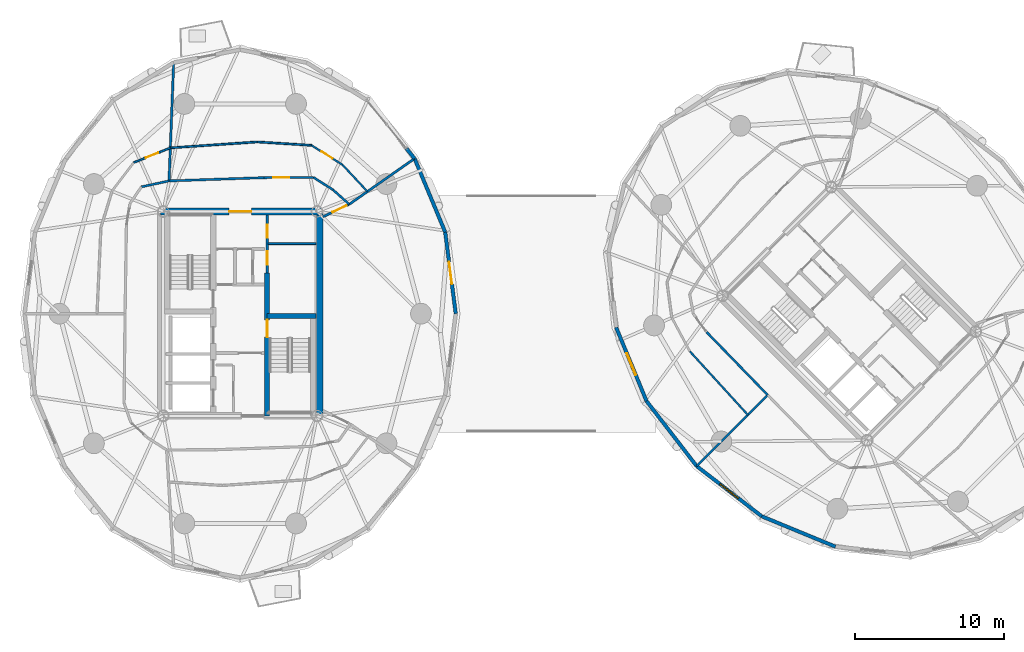
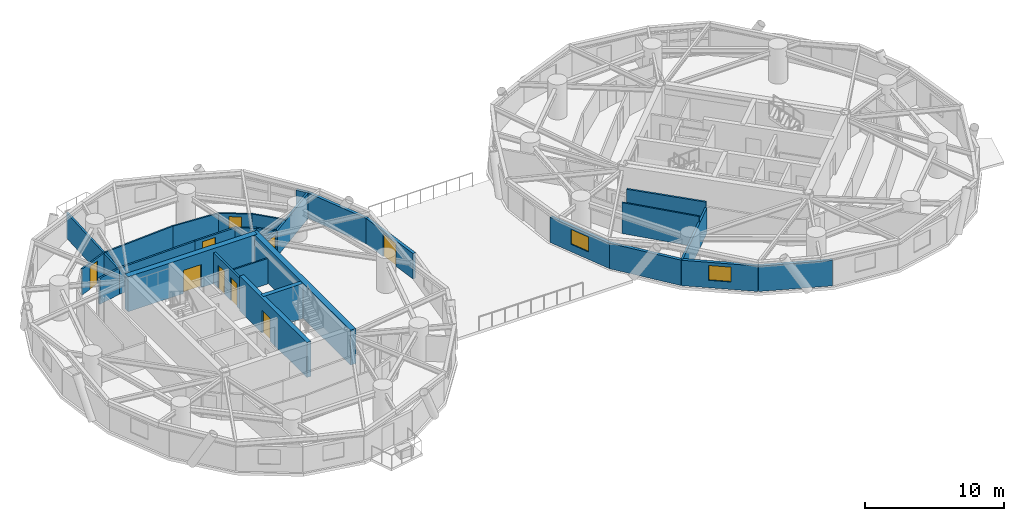
# One storey, part 11 of 19: 29 walls, 9 doors, 2 windows, 11 openings.
"""IFC4 building model written with IfcOpenShell, lengths in metres."""

from ifc_helpers import new_model, si_unit, direction, frame, frame_2d, origin, place, context, subcontext, project, spatial, rectangle, extrude, source, transform, mapped, material, layer, layer_set, type_object, element, fill, save


model = new_model("IFC4")

# Units and contexts
model_context = context("Model", 3, precision=1e-05, world=origin(), true_north=direction((0.0, 1.0)))
body_context = subcontext(model_context, "Body", "Model", "MODEL_VIEW")
ifc_project = project(units=[si_unit("LENGTHUNIT", "METRE"), si_unit("AREAUNIT", "SQUARE_METRE"), si_unit("VOLUMEUNIT", "CUBIC_METRE"), si_unit("PLANEANGLEUNIT", "RADIAN"), si_unit("MASSUNIT", "GRAM", prefix="KILO")], contexts=[model_context])

# Site, building, storey
site_placement = place(None, origin())
site = spatial("IfcSite", under=ifc_project, at=site_placement, CompositionType="ELEMENT")
building_placement = place(site_placement, origin())
building = spatial("IfcBuilding", under=site, at=building_placement, Name="Cununo Teusaquillo Station Towers", CompositionType="ELEMENT")
storey_placement = place(building_placement, frame((0.0, 0.0, 144.0400390625)))
storey = spatial("IfcBuildingStorey", under=building, at=storey_placement, Name="L45", CompositionType="ELEMENT", Elevation=144.0400390625)

# Wall, opening, door
ifc_material_1 = material(Name="Concrete C50/60", Category="concrete")
ifc_layer_1 = layer(ifc_material_1, 0.35009765625)
ifc_layer_set_1 = layer_set([ifc_layer_1], Name="Concrete C50/60")
wall_type_1 = type_object("IfcWallType", Name="WL-CORE-350", PredefinedType="SHEAR", material=ifc_layer_set_1)
wall_1_placement = place(storey_placement, frame((18.31494140625, 17.625, 0.0), z_axis=(0.0, 0.0, 1.0), x_axis=(0.0, 1.0, 0.0)))
wall_1 = element("IfcWall", 1, at=wall_1_placement, inside=storey, type_object=wall_type_1, Name="L45 Tower A Core Shear Wall IE", PredefinedType="SHEAR", context=body_context, shape_type="SweptSolid", body=[
    extrude(rectangle(XDim=9.625, YDim=0.35009765625, at=frame_2d((4.8125, 0.0))), origin(), (0.0, 0.0, 1.0), 3.06005859375),
])
shared_shape_1 = source(origin(), body_context, "Body", "SweptSolid", [
    extrude(rectangle(XDim=1.14990234375, YDim=2.02001953125, at=frame_2d((0.574951171875, 1.010009765625))), frame((0.0, 0.18505859375, 0.0), z_axis=(0.0, -1.0, 0.0), x_axis=(1.0, 0.0, 0.0)), (0.0, 0.0, 1.0), 0.3701171875),
])
opening_1_placement = place(wall_1_placement, frame((5.304931640625, 0.0, 0.0)))
opening_1 = element("IfcOpeningElement", 2, at=opening_1_placement, cuts=wall_1, Name="Opening D-ST1", PredefinedType="OPENING", context=body_context, shape_type="MappedRepresentation", body=[
    mapped(shared_shape_1, transform((0.0, 0.0, 0.0), x_axis=(1.0, 0.0, 0.0), y_axis=(0.0, 1.0, 0.0), z_axis=(0.0, 0.0, 1.0), scale=1.0)),
])
ifc_material_2 = material(Name="Galvanised fire-rated hollow steel door assembly", Category="steel")
door_type_1 = type_object("IfcDoorType", Name="DR-STAIR-1150", OperationType="NOTDEFINED", PredefinedType="DOOR", material=ifc_material_2)
shared_shape_2 = source(origin(), body_context, "Body", "SweptSolid", [
    extrude(rectangle(XDim=1.14990234375, YDim=2.02001953125, at=frame_2d((0.574951171875, 1.010009765625))), frame((0.0, 0.02490234375, 0.0), z_axis=(0.0, -1.0, 0.0), x_axis=(1.0, 0.0, 0.0)), (0.0, 0.0, 1.0), 0.050048828125),
])
door_1_placement = place(opening_1_placement, origin())
door_1 = element("IfcDoor", 3, at=door_1_placement, inside=storey, type_object=door_type_1, Name="L45 Tower A Exit Stair 2 Fire Door", OperationType="SINGLE_SWING_LEFT", OverallHeight=2.02001953125, OverallWidth=1.14990234375, PredefinedType="DOOR", context=body_context, shape_type="MappedRepresentation", body=[
    mapped(shared_shape_2, transform((0.0, 0.0, 0.0), x_axis=(1.0, 0.0, 0.0), y_axis=(0.0, 1.0, 0.0), z_axis=(0.0, 0.0, 1.0), scale=1.0)),
])
fill(opening_1, door_1)

# Walls
wall_2_placement = place(storey_placement, frame((18.31494140625, 24.344970703125, 0.0), z_axis=(0.0, 0.0, 1.0), x_axis=(1.0, 0.0, 0.0)))
element("IfcWall", 4, at=wall_2_placement, inside=storey, type_object=wall_type_1, Name="L45 Tower A Core Shear Wall ST2N", PredefinedType="SHEAR", context=body_context, shape_type="SweptSolid", body=[
    extrude(rectangle(XDim=3.28515625, YDim=0.35009765625, at=frame_2d((1.642578125, 0.0))), origin(), (0.0, 0.0, 1.0), 3.06005859375),
])
ifc_material_3 = material(Name="Concrete C60/75", Category="concrete")
ifc_layer_2 = layer(ifc_material_3, 0.449951171875)
ifc_layer_set_2 = layer_set([ifc_layer_2], Name="Concrete C60/75")
wall_type_2 = type_object("IfcWallType", Name="WL-CORE-450", PredefinedType="SHEAR", material=ifc_layer_set_2)
wall_3_placement = place(storey_placement, frame((21.85009765625, 17.39990234375, 0.0), z_axis=(0.0, 0.0, 1.0), x_axis=(0.0, 1.0, 0.0)))
element("IfcWall", 5, at=wall_3_placement, inside=storey, type_object=wall_type_2, Name="L45 Tower A Core Shear Wall E", PredefinedType="SHEAR", context=body_context, shape_type="SweptSolid", body=[
    extrude(rectangle(XDim=14.2001953125, YDim=0.449951171875, at=frame_2d((7.10009765625, 0.0))), origin(), (0.0, 0.0, 1.0), 3.06005859375),
])

# Wall, opening, door
wall_4_placement = place(storey_placement, frame((11.14990234375, 31.375, 0.0), z_axis=(0.0, 0.0, 1.0), x_axis=(1.0, 0.0, 0.0)))
wall_4 = element("IfcWall", 6, at=wall_4_placement, inside=storey, type_object=wall_type_2, Name="L45 Tower A Core Shear Wall N", PredefinedType="SHEAR", context=body_context, shape_type="SweptSolid", body=[
    extrude(rectangle(XDim=10.7001953125, YDim=0.449951171875, at=frame_2d((5.35009765625, 0.0))), origin(), (0.0, 0.0, 1.0), 3.06005859375),
])
shared_shape_3 = source(origin(), body_context, "Body", "SweptSolid", [
    extrude(rectangle(XDim=1.5, YDim=2.02001953125, at=frame_2d((0.75, 1.010009765625))), frame((0.0, 0.23486328125, 0.0), z_axis=(0.0, -1.0, 0.0), x_axis=(1.0, 0.0, 0.0)), (0.0, 0.0, 1.0), 0.469970703125),
])
opening_2_placement = place(wall_4_placement, frame((4.60009765625, 0.0, 0.0)))
opening_2 = element("IfcOpeningElement", 7, at=opening_2_placement, cuts=wall_4, Name="Opening D-LB1", PredefinedType="OPENING", context=body_context, shape_type="MappedRepresentation", body=[
    mapped(shared_shape_3, transform((0.0, 0.0, 0.0), x_axis=(1.0, 0.0, 0.0), y_axis=(0.0, 1.0, 0.0), z_axis=(0.0, 0.0, 1.0), scale=1.0)),
])
ifc_material_4 = material(Name="Galvanised fire-rated hollow steel door assembly", Category="steel")
door_type_2 = type_object("IfcDoorType", Name="DR-LOBBY-1500", OperationType="DOUBLE_DOOR_SINGLE_SWING", PredefinedType="DOOR", material=ifc_material_4)
shared_shape_4 = source(origin(), body_context, "Body", "SweptSolid", [
    extrude(rectangle(XDim=1.5, YDim=2.02001953125, at=frame_2d((0.75, 1.010009765625))), frame((0.0, 0.02490234375, 0.0), z_axis=(0.0, -1.0, 0.0), x_axis=(1.0, 0.0, 0.0)), (0.0, 0.0, 1.0), 0.050048828125),
])
door_2_placement = place(opening_2_placement, origin())
door_2 = element("IfcDoor", 8, at=door_2_placement, inside=storey, type_object=door_type_2, Name="L45 Tower A North Core Lift Lobby Door", OperationType="DOUBLE_DOOR_SINGLE_SWING", OverallHeight=2.02001953125, OverallWidth=1.5, PredefinedType="DOOR", context=body_context, shape_type="MappedRepresentation", body=[
    mapped(shared_shape_4, transform((0.0, 0.0, 0.0), x_axis=(1.0, 0.0, 0.0), y_axis=(0.0, 1.0, 0.0), z_axis=(0.0, 0.0, 1.0), scale=1.0)),
])
fill(opening_2, door_2)

ifc_material_5 = material(Name="Precast concrete C40/50", Category="concrete")
ifc_layer_3 = layer(ifc_material_5, 0.239990234375)
ifc_layer_set_3 = layer_set([ifc_layer_3], Name="Precast concrete C40/50")
wall_type_3 = type_object("IfcWallType", Name="WL-EXT-240", PredefinedType="SOLIDWALL", material=ifc_layer_set_3)
wall_5_placement = place(storey_placement, frame((30.3046875, 29.9912109375, 0.0), z_axis=(0.0, 0.0, 1.0), x_axis=(0.128266533912, -0.991739732126, 0.0)))
wall_5 = element("IfcWall", 9, at=wall_5_placement, inside=storey, type_object=wall_type_3, Name="L45 Tower A Exterior Facade Wall C00", PredefinedType="SOLIDWALL", context=body_context, shape_type="SweptSolid", body=[
    extrude(rectangle(XDim=5.536865234375, YDim=0.239990234375, at=frame_2d((2.7685546875, 0.0))), origin(), (0.0, 0.0, 1.0), 2.22900390625),
])
shared_shape_5 = source(origin(), body_context, "Body", "SweptSolid", [
    extrude(rectangle(XDim=1.5, YDim=2.014892578125, at=frame_2d((0.75, 1.00732421875))), frame((0.0, 0.1298828125, 0.0), z_axis=(0.0, -1.0, 0.0), x_axis=(1.0, 0.0, 0.0)), (0.0, 0.0, 1.0), 0.260009765625),
])
opening_3_placement = place(wall_5_placement, frame((2.01806640625, 0.0, 0.0)))
opening_3 = element("IfcOpeningElement", 10, at=opening_3_placement, cuts=wall_5, Name="Opening ED-04", PredefinedType="OPENING", context=body_context, shape_type="MappedRepresentation", body=[
    mapped(shared_shape_5, transform((0.0, 0.0, 0.0), x_axis=(1.0, 0.0, 0.0), y_axis=(0.0, 1.0, 0.0), z_axis=(0.0, 0.0, 1.0), scale=1.0)),
])
ifc_material_6 = material(Name="Anodised dark bronze aluminium EN AW-6063-T6", Category="aluminium")
door_type_3 = type_object("IfcDoorType", Name="DR-EXT-TERR", OperationType="DOUBLE_DOOR_SINGLE_SWING", PredefinedType="DOOR", material=ifc_material_6)
shared_shape_6 = source(origin(), body_context, "Body", "SweptSolid", [
    extrude(rectangle(XDim=1.5, YDim=2.014892578125, at=frame_2d((0.75, 1.00732421875))), frame((0.0, 0.02490234375, 0.0), z_axis=(0.0, -1.0, 0.0), x_axis=(1.0, 0.0, 0.0)), (0.0, 0.0, 1.0), 0.050048828125),
])
door_3_placement = place(opening_3_placement, origin())
door_3 = element("IfcDoor", 11, at=door_3_placement, inside=storey, type_object=door_type_3, Name="L45 Mid-Bridge Roof Terrace Access Door T1", OperationType="DOUBLE_DOOR_SINGLE_SWING", OverallHeight=2.014892578125, OverallWidth=1.5, PredefinedType="DOOR", context=body_context, shape_type="MappedRepresentation", body=[
    mapped(shared_shape_6, transform((0.0, 0.0, 0.0), x_axis=(1.0, 0.0, 0.0), y_axis=(0.0, 1.0, 0.0), z_axis=(0.0, 0.0, 1.0), scale=1.0)),
])
fill(opening_3, door_3)

# Walls
wall_6_placement = place(storey_placement, frame((28.242919921875, 34.94482421875, 0.0), z_axis=(0.0, 0.0, 1.0), x_axis=(0.384259959969, -0.923224936386, 0.0)))
element("IfcWall", 12, at=wall_6_placement, inside=storey, type_object=wall_type_3, Name="L45 Tower A Exterior Facade Wall C01", PredefinedType="SOLIDWALL", context=body_context, shape_type="SweptSolid", body=[
    extrude(rectangle(XDim=5.365478515625, YDim=0.239990234375, at=frame_2d((2.6826171875, 0.0))), origin(), (0.0, 0.0, 1.0), 2.22900390625),
])
wall_7_placement = place(storey_placement, frame((27.6923828125, 35.61865234375, 0.0), z_axis=(0.0, 0.0, 1.0), x_axis=(0.632702874536, -0.774394649099, 0.0)))
element("IfcWall", 13, at=wall_7_placement, inside=storey, type_object=wall_type_3, Name="L45 Tower A Column Pier Cladding Wall C02-PB", PredefinedType="SOLIDWALL", context=body_context, shape_type="SweptSolid", body=[
    extrude(rectangle(XDim=0.8701171875, YDim=0.239990234375, at=frame_2d((0.43505859375, 0.0))), origin(), (0.0, 0.0, 1.0), 2.22900390625),
])

# Wall, opening, window
wall_8_placement = place(storey_placement, frame((43.855712890625, 18.62158203125, 0.0), z_axis=(0.0, 0.0, 1.0), x_axis=(-0.38111364655, 0.924528197738, 0.0)))
wall_8 = element("IfcWall", 14, at=wall_8_placement, inside=storey, type_object=wall_type_3, Name="L45 Tower B Exterior Facade Wall C08", PredefinedType="SOLIDWALL", context=body_context, shape_type="SweptSolid", body=[
    extrude(rectangle(XDim=5.36572265625, YDim=0.239990234375, at=frame_2d((2.682861328125, 0.0))), origin(), (0.0, 0.0, 1.0), 2.22900390625),
])
shared_shape_7 = source(origin(), body_context, "Body", "SweptSolid", [
    extrude(rectangle(XDim=1.60009765625, YDim=1.300048828125, at=frame_2d((0.800048828125, 0.64990234375))), frame((0.0, 0.1298828125, 0.0), z_axis=(0.0, -1.0, 0.0), x_axis=(1.0, 0.0, 0.0)), (0.0, 0.0, 1.0), 0.260009765625),
])
opening_4_placement = place(wall_8_placement, frame((1.883056640625, 0.0, 0.64990234375)))
opening_4 = element("IfcOpeningElement", 15, at=opening_4_placement, cuts=wall_8, Name="Opening WN-03", PredefinedType="OPENING", context=body_context, shape_type="MappedRepresentation", body=[
    mapped(shared_shape_7, transform((0.0, 0.0, 0.0), x_axis=(1.0, 0.0, 0.0), y_axis=(0.0, 1.0, 0.0), z_axis=(0.0, 0.0, 1.0), scale=1.0)),
])
ifc_material_7 = material(Name="Ceramic-fritted dark low-E double glazing", Category="glass")
window_type = type_object("IfcWindowType", Name="WIN-CORN-1600", PartitioningType="SINGLE_PANEL", PredefinedType="WINDOW", material=ifc_material_7)
shared_shape_8 = source(origin(), body_context, "Body", "SweptSolid", [
    extrude(rectangle(XDim=1.60009765625, YDim=1.300048828125, at=frame_2d((0.800048828125, 0.64990234375))), frame((0.0, 0.030029296875, 0.0), z_axis=(0.0, -1.0, 0.0), x_axis=(1.0, 0.0, 0.0)), (0.0, 0.0, 1.0), 0.06005859375),
])
window_1_placement = place(opening_4_placement, origin())
window_1 = element("IfcWindow", 16, at=window_1_placement, inside=storey, type_object=window_type, Name="L45 Tower B Facade Window C08", OverallHeight=1.300048828125, OverallWidth=1.60009765625, PartitioningType="SINGLE_PANEL", PredefinedType="WINDOW", context=body_context, shape_type="MappedRepresentation", body=[
    mapped(shared_shape_8, transform((0.0, 0.0, 0.0), x_axis=(1.0, 0.0, 0.0), y_axis=(0.0, 1.0, 0.0), z_axis=(0.0, 0.0, 1.0), scale=1.0)),
])
fill(opening_4, window_1)

# Wall
wall_9_placement = place(storey_placement, frame((47.236328125, 14.236328125, 0.0), z_axis=(0.0, 0.0, 1.0), x_axis=(-0.610543584779, 0.791982658323, 0.0)))
element("IfcWall", 17, at=wall_9_placement, inside=storey, type_object=wall_type_3, Name="L45 Tower B Exterior Facade Wall C09", PredefinedType="SOLIDWALL", context=body_context, shape_type="SweptSolid", body=[
    extrude(rectangle(XDim=5.537109375, YDim=0.239990234375, at=frame_2d((2.7685546875, 0.0))), origin(), (0.0, 0.0, 1.0), 2.22900390625),
])

# Wall, opening, window
wall_10_placement = place(storey_placement, frame((51.62158203125, 10.855712890625, 0.0), z_axis=(0.0, 0.0, 1.0), x_axis=(-0.791982658323, 0.610543584779, 0.0)))
wall_10 = element("IfcWall", 18, at=wall_10_placement, inside=storey, type_object=wall_type_3, Name="L45 Tower B Exterior Facade Wall C10", PredefinedType="SOLIDWALL", context=body_context, shape_type="SweptSolid", body=[
    extrude(rectangle(XDim=5.537109375, YDim=0.239990234375, at=frame_2d((2.7685546875, 0.0))), origin(), (0.0, 0.0, 1.0), 2.22900390625),
])
opening_5_placement = place(wall_10_placement, frame((1.968017578125, 0.0, 0.64990234375)))
opening_5 = element("IfcOpeningElement", 19, at=opening_5_placement, cuts=wall_10, Name="Opening WN-03", PredefinedType="OPENING", context=body_context, shape_type="MappedRepresentation", body=[
    mapped(shared_shape_7, transform((0.0, 0.0, 0.0), x_axis=(1.0, 0.0, 0.0), y_axis=(0.0, 1.0, 0.0), z_axis=(0.0, 0.0, 1.0), scale=1.0)),
])
window_2_placement = place(opening_5_placement, origin())
window_2 = element("IfcWindow", 20, at=window_2_placement, inside=storey, type_object=window_type, Name="L45 Tower B Facade Window C10", OverallHeight=1.300048828125, OverallWidth=1.60009765625, PartitioningType="SINGLE_PANEL", PredefinedType="WINDOW", context=body_context, shape_type="MappedRepresentation", body=[
    mapped(shared_shape_8, transform((0.0, 0.0, 0.0), x_axis=(1.0, 0.0, 0.0), y_axis=(0.0, 1.0, 0.0), z_axis=(0.0, 0.0, 1.0), scale=1.0)),
])
fill(opening_5, window_2)

# Walls
wall_11_placement = place(storey_placement, frame((56.582275390625, 8.810791015625, 0.0), z_axis=(0.0, 0.0, 1.0), x_axis=(-0.924528197738, 0.38111364655, 0.0)))
element("IfcWall", 21, at=wall_11_placement, inside=storey, type_object=wall_type_3, Name="L45 Tower B Exterior Facade Wall C11", PredefinedType="SOLIDWALL", context=body_context, shape_type="SweptSolid", body=[
    extrude(rectangle(XDim=5.36572265625, YDim=0.239990234375, at=frame_2d((2.682861328125, 0.0))), origin(), (0.0, 0.0, 1.0), 2.22900390625),
])
ifc_material_8 = material(Name="Fire-rated gypsum plasterboard partition assembly", Category="gypsum")
ifc_layer_4 = layer(ifc_material_8, 0.125)
ifc_layer_set_4 = layer_set([ifc_layer_4], Name="Fire-rated gypsum plasterboard partition assembly")
wall_type_4 = type_object("IfcWallType", Name="WL-PART-125", PredefinedType="PARTITIONING", material=ifc_layer_set_4)
wall_12_placement = place(storey_placement, frame((18.3798828125, 29.219970703125, 0.0), z_axis=(0.0, 0.0, 1.0), x_axis=(1.0, 0.0, 0.0)))
element("IfcWall", 22, at=wall_12_placement, inside=storey, type_object=wall_type_4, Name="L45 Tower A Reclaimed Bay Divider Wall", PredefinedType="PARTITIONING", context=body_context, shape_type="SweptSolid", body=[
    extrude(rectangle(XDim=3.22021484375, YDim=0.125, at=frame_2d((1.610107421875, 0.0))), origin(), (0.0, 0.0, 1.0), 2.241943359375),
])
wall_13_placement = place(storey_placement, frame((25.068603515625, 32.724853515625, 0.0), z_axis=(0.0, 0.0, 1.0), x_axis=(-0.682321786461, 0.731051967865, 0.0)))
element("IfcWall", 23, at=wall_13_placement, inside=storey, type_object=wall_type_4, Name="L45 Tower A Belvedere Botanical Conservatory Salon Concentric Partition Wall C02", PredefinedType="PARTITIONING", context=body_context, shape_type="SweptSolid", body=[
    extrude(rectangle(XDim=2.4599609375, YDim=0.125, at=frame_2d((1.22998046875, 0.0))), origin(), (0.0, 0.0, 1.0), 2.27490234375),
])

# Wall, opening, door
wall_14_placement = place(storey_placement, frame((23.39013671875, 34.523193359375, 0.0), z_axis=(0.0, 0.0, 1.0), x_axis=(-0.846355430711, 0.53261851724, 0.0)))
wall_14 = element("IfcWall", 24, at=wall_14_placement, inside=storey, type_object=wall_type_4, Name="L45 Tower A Belvedere Botanical Conservatory Salon Concentric Partition Wall C03", PredefinedType="PARTITIONING", context=body_context, shape_type="SweptSolid", body=[
    extrude(rectangle(XDim=2.460693359375, YDim=0.125, at=frame_2d((1.23046875, 0.0))), origin(), (0.0, 0.0, 1.0), 2.27490234375),
])
shared_shape_9 = source(origin(), body_context, "Body", "SweptSolid", [
    extrude(rectangle(XDim=0.89990234375, YDim=2.0048828125, at=frame_2d((0.449951171875, 1.00244140625))), frame((0.0, 0.072509765625, 0.0), z_axis=(0.0, -1.0, 0.0), x_axis=(1.0, 0.0, 0.0)), (0.0, 0.0, 1.0), 0.14501953125),
])
opening_6_placement = place(wall_14_placement, frame((0.780517578125, 0.0, 0.0)))
opening_6 = element("IfcOpeningElement", 25, at=opening_6_placement, cuts=wall_14, Name="Opening D-IN1", PredefinedType="OPENING", context=body_context, shape_type="MappedRepresentation", body=[
    mapped(shared_shape_9, transform((0.0, 0.0, 0.0), x_axis=(1.0, 0.0, 0.0), y_axis=(0.0, 1.0, 0.0), z_axis=(0.0, 0.0, 1.0), scale=1.0)),
])
ifc_material_9 = material(Name="Acoustic solid-core hardwood leaf assembly", Category="wood")
door_type_4 = type_object("IfcDoorType", Name="DR-INT-900", OperationType="NOTDEFINED", PredefinedType="DOOR", material=ifc_material_9)
shared_shape_10 = source(origin(), body_context, "Body", "SweptSolid", [
    extrude(rectangle(XDim=0.89990234375, YDim=2.0048828125, at=frame_2d((0.449951171875, 1.00244140625))), frame((0.0, 0.02490234375, 0.0), z_axis=(0.0, -1.0, 0.0), x_axis=(1.0, 0.0, 0.0)), (0.0, 0.0, 1.0), 0.050048828125),
])
door_4_placement = place(opening_6_placement, origin())
door_4 = element("IfcDoor", 26, at=door_4_placement, inside=storey, type_object=door_type_4, Name="L45 Tower A Belvedere Botanical Conservatory Salon Connecting Door", OperationType="SINGLE_SWING_RIGHT", OverallHeight=2.0048828125, OverallWidth=0.89990234375, PredefinedType="DOOR", context=body_context, shape_type="MappedRepresentation", body=[
    mapped(shared_shape_10, transform((0.0, 0.0, 0.0), x_axis=(1.0, 0.0, 0.0), y_axis=(0.0, 1.0, 0.0), z_axis=(0.0, 0.0, 1.0), scale=1.0)),
])
fill(opening_6, door_4)

# Walls
wall_15_placement = place(storey_placement, frame((21.3076171875, 35.833740234375, 0.0), z_axis=(0.0, 0.0, 1.0), x_axis=(-0.998000499874, 0.063206030185, 0.0)))
element("IfcWall", 27, at=wall_15_placement, inside=storey, type_object=wall_type_4, Name="L45 Tower A Belvedere Botanical Conservatory Salon Concentric Partition Wall C04", PredefinedType="PARTITIONING", context=body_context, shape_type="SweptSolid", body=[
    extrude(rectangle(XDim=3.654052734375, YDim=0.125, at=frame_2d((1.8271484375, 0.0))), origin(), (0.0, 0.0, 1.0), 2.27490234375),
])
wall_16_placement = place(storey_placement, frame((17.660888671875, 36.064697265625, 0.0), z_axis=(0.0, 0.0, 1.0), x_axis=(-0.997670473363, -0.068217494681, 0.0)))
element("IfcWall", 28, at=wall_16_placement, inside=storey, type_object=wall_type_4, Name="L45 Tower A Belvedere Botanical Conservatory Salon Concentric Partition Wall C05", PredefinedType="PARTITIONING", context=body_context, shape_type="SweptSolid", body=[
    extrude(rectangle(XDim=5.87646484375, YDim=0.125, at=frame_2d((2.938232421875, 0.0))), origin(), (0.0, 0.0, 1.0), 2.27490234375),
])

# Wall, opening, door
wall_17_placement = place(storey_placement, frame((11.798095703125, 35.663818359375, 0.0), z_axis=(0.0, 0.0, 1.0), x_axis=(-0.927779230796, -0.37312960068, 0.0)))
wall_17 = element("IfcWall", 29, at=wall_17_placement, inside=storey, type_object=wall_type_4, Name="L45 Tower A Andean Hydrotherapy & Movement Hall Concentric Partition Wall C06", PredefinedType="PARTITIONING", context=body_context, shape_type="SweptSolid", body=[
    extrude(rectangle(XDim=2.66162109375, YDim=0.125, at=frame_2d((1.330810546875, 0.0))), origin(), (0.0, 0.0, 1.0), 2.27490234375),
])
opening_7_placement = place(wall_17_placement, frame((0.880859375, 0.0, 0.0)))
opening_7 = element("IfcOpeningElement", 30, at=opening_7_placement, cuts=wall_17, Name="Opening D-IN1", PredefinedType="OPENING", context=body_context, shape_type="MappedRepresentation", body=[
    mapped(shared_shape_9, transform((0.0, 0.0, 0.0), x_axis=(1.0, 0.0, 0.0), y_axis=(0.0, 1.0, 0.0), z_axis=(0.0, 0.0, 1.0), scale=1.0)),
])
door_5_placement = place(opening_7_placement, origin())
door_5 = element("IfcDoor", 31, at=door_5_placement, inside=storey, type_object=door_type_4, Name="L45 Tower A Andean Hydrotherapy & Movement Hall Connecting Door", OperationType="SINGLE_SWING_RIGHT", OverallHeight=2.0048828125, OverallWidth=0.89990234375, PredefinedType="DOOR", context=body_context, shape_type="MappedRepresentation", body=[
    mapped(shared_shape_10, transform((0.0, 0.0, 0.0), x_axis=(1.0, 0.0, 0.0), y_axis=(0.0, 1.0, 0.0), z_axis=(0.0, 0.0, 1.0), scale=1.0)),
])
fill(opening_7, door_5)

# Walls
wall_18_placement = place(storey_placement, frame((46.773681640625, 21.96728515625, 0.0), z_axis=(0.0, 0.0, 1.0), x_axis=(0.674324259609, -0.738435368129, 0.0)))
element("IfcWall", 32, at=wall_18_placement, inside=storey, type_object=wall_type_4, Name="L45 Tower B Andean Hydrotherapy & Movement Hall Concentric Partition Wall C09", PredefinedType="PARTITIONING", context=body_context, shape_type="SweptSolid", body=[
    extrude(rectangle(XDim=5.7998046875, YDim=0.125, at=frame_2d((2.89990234375, 0.0))), origin(), (0.0, 0.0, 1.0), 2.705078125),
])
ifc_material_10 = material(Name="Fire-rated gypsum plasterboard partition assembly", Category="gypsum")
ifc_layer_5 = layer(ifc_material_10, 0.14990234375)
ifc_layer_set_5 = layer_set([ifc_layer_5], Name="Fire-rated gypsum plasterboard partition assembly")
wall_type_5 = type_object("IfcWallType", Name="WL-PART-150", PredefinedType="PARTITIONING", material=ifc_layer_set_5)
wall_19_placement = place(storey_placement, frame((23.840576171875, 31.865966796875, 0.0), z_axis=(0.0, 0.0, 1.0), x_axis=(-0.74511843306, 0.666932171, 0.0)))
element("IfcWall", 33, at=wall_19_placement, inside=storey, type_object=wall_type_5, Name="L45 Tower A Corridor Ring Wall C02", PredefinedType="PARTITIONING", context=body_context, shape_type="SweptSolid", body=[
    extrude(rectangle(XDim=1.455078125, YDim=0.14990234375, at=frame_2d((0.7275390625, 0.0))), origin(), (0.0, 0.0, 1.0), 2.27490234375),
])
wall_20_placement = place(storey_placement, frame((22.75634765625, 32.83642578125, 0.0), z_axis=(0.0, 0.0, 1.0), x_axis=(-0.843828401801, 0.536613108593, 0.0)))
element("IfcWall", 34, at=wall_20_placement, inside=storey, type_object=wall_type_5, Name="L45 Tower A Corridor Ring Wall C03", PredefinedType="PARTITIONING", context=body_context, shape_type="SweptSolid", body=[
    extrude(rectangle(XDim=1.5654296875, YDim=0.14990234375, at=frame_2d((0.78271484375, 0.0))), origin(), (0.0, 0.0, 1.0), 2.27490234375),
])

# Wall, opening, door
wall_21_placement = place(storey_placement, frame((21.435302734375, 33.676513671875, 0.0), z_axis=(0.0, 0.0, 1.0), x_axis=(-0.999986775557, -0.005142831114, 0.0)))
wall_21 = element("IfcWall", 35, at=wall_21_placement, inside=storey, type_object=wall_type_5, Name="L45 Tower A Corridor Ring Wall C04", PredefinedType="PARTITIONING", context=body_context, shape_type="SweptSolid", body=[
    extrude(rectangle(XDim=3.322998046875, YDim=0.14990234375, at=frame_2d((1.66162109375, 0.0))), origin(), (0.0, 0.0, 1.0), 2.27490234375),
])
shared_shape_11 = source(origin(), body_context, "Body", "SweptSolid", [
    extrude(rectangle(XDim=1.050048828125, YDim=2.014892578125, at=frame_2d((0.52490234375, 1.00732421875))), frame((0.0, 0.0849609375, 0.0), z_axis=(0.0, -1.0, 0.0), x_axis=(1.0, 0.0, 0.0)), (0.0, 0.0, 1.0), 0.169921875),
])
opening_8_placement = place(wall_21_placement, frame((1.644775390625, 0.0, 0.0)))
opening_8 = element("IfcOpeningElement", 36, at=opening_8_placement, cuts=wall_21, Name="Opening D-SU1", PredefinedType="OPENING", context=body_context, shape_type="MappedRepresentation", body=[
    mapped(shared_shape_11, transform((0.0, 0.0, 0.0), x_axis=(1.0, 0.0, 0.0), y_axis=(0.0, 1.0, 0.0), z_axis=(0.0, 0.0, 1.0), scale=1.0)),
])
ifc_material_11 = material(Name="Acoustic solid-core hardwood leaf assembly", Category="wood")
door_type_5 = type_object("IfcDoorType", Name="DR-SUITE-1050", OperationType="NOTDEFINED", PredefinedType="DOOR", material=ifc_material_11)
shared_shape_12 = source(origin(), body_context, "Body", "SweptSolid", [
    extrude(rectangle(XDim=1.050048828125, YDim=2.014892578125, at=frame_2d((0.52490234375, 1.00732421875))), frame((0.0, 0.02490234375, 0.0), z_axis=(0.0, -1.0, 0.0), x_axis=(1.0, 0.0, 0.0)), (0.0, 0.0, 1.0), 0.050048828125),
])
door_6_placement = place(opening_8_placement, origin())
door_6 = element("IfcDoor", 37, at=door_6_placement, inside=storey, type_object=door_type_5, Name="L45 Tower A Belvedere Botanical Conservatory Salon Entrance Door", OperationType="SINGLE_SWING_LEFT", OverallHeight=2.014892578125, OverallWidth=1.050048828125, PredefinedType="DOOR", context=body_context, shape_type="MappedRepresentation", body=[
    mapped(shared_shape_12, transform((0.0, 0.0, 0.0), x_axis=(1.0, 0.0, 0.0), y_axis=(0.0, 1.0, 0.0), z_axis=(0.0, 0.0, 1.0), scale=1.0)),
])
fill(opening_8, door_6)

# Walls
wall_22_placement = place(storey_placement, frame((18.1123046875, 33.659423828125, 0.0), z_axis=(0.0, 0.0, 1.0), x_axis=(-0.999413895918, -0.034232508622, 0.0)))
element("IfcWall", 38, at=wall_22_placement, inside=storey, type_object=wall_type_5, Name="L45 Tower A Corridor Ring Wall C05", PredefinedType="PARTITIONING", context=body_context, shape_type="SweptSolid", body=[
    extrude(rectangle(XDim=6.404296875, YDim=0.14990234375, at=frame_2d((3.2021484375, 0.0))), origin(), (0.0, 0.0, 1.0), 2.27490234375),
])
wall_23_placement = place(storey_placement, frame((11.711669921875, 33.440185546875, 0.0), z_axis=(0.0, 0.0, 1.0), x_axis=(-0.977753514213, -0.209757158265, 0.0)))
element("IfcWall", 39, at=wall_23_placement, inside=storey, type_object=wall_type_5, Name="L45 Tower A Corridor Ring Wall C06", PredefinedType="PARTITIONING", context=body_context, shape_type="SweptSolid", body=[
    extrude(rectangle(XDim=1.900634765625, YDim=0.14990234375, at=frame_2d((0.9501953125, 0.0))), origin(), (0.0, 0.0, 1.0), 2.27490234375),
])
wall_24_placement = place(storey_placement, frame((47.9013671875, 23.264892578125, 0.0), z_axis=(0.0, 0.0, 1.0), x_axis=(0.696355965374, -0.717696572019, 0.0)))
element("IfcWall", 40, at=wall_24_placement, inside=storey, type_object=wall_type_5, Name="L45 Tower B Corridor Ring Wall C09", PredefinedType="PARTITIONING", context=body_context, shape_type="SweptSolid", body=[
    extrude(rectangle(XDim=5.91455078125, YDim=0.14990234375, at=frame_2d((2.957275390625, 0.0))), origin(), (0.0, 0.0, 1.0), 2.705078125),
])

# Wall, openings, doors
ifc_material_12 = material(Name="Fire-rated gypsum plasterboard partition assembly", Category="gypsum")
ifc_layer_6 = layer(ifc_material_12, 0.159912109375)
ifc_layer_set_6 = layer_set([ifc_layer_6], Name="Fire-rated gypsum plasterboard partition assembly")
wall_type_6 = type_object("IfcWallType", Name="WL-PART-160", PredefinedType="PARTITIONING", material=ifc_layer_set_6)
wall_25_placement = place(storey_placement, frame((18.31494140625, 27.25, 0.0), z_axis=(0.0, 0.0, 1.0), x_axis=(0.0, 1.0, 0.0)))
wall_25 = element("IfcWall", 41, at=wall_25_placement, inside=storey, type_object=wall_type_6, Name="L45 Tower A Reclaimed Core Bay Entry Wall", PredefinedType="PARTITIONING", context=body_context, shape_type="SweptSolid", body=[
    extrude(rectangle(XDim=3.89990234375, YDim=0.159912109375, at=frame_2d((1.949951171875, 0.0))), origin(), (0.0, 0.0, 1.0), 2.705078125),
])
shared_shape_13 = source(origin(), body_context, "Body", "SweptSolid", [
    extrude(rectangle(XDim=0.89990234375, YDim=2.0048828125, at=frame_2d((0.449951171875, 1.00244140625))), frame((0.0, 0.08984375, 0.0), z_axis=(0.0, -1.0, 0.0), x_axis=(1.0, 0.0, 0.0)), (0.0, 0.0, 1.0), 0.179931640625),
])
opening_9_placement = place(wall_25_placement, frame((0.550048828125, 0.0, 0.0)))
opening_9 = element("IfcOpeningElement", 42, at=opening_9_placement, cuts=wall_25, Name="Opening D-IN1", PredefinedType="OPENING", context=body_context, shape_type="MappedRepresentation", body=[
    mapped(shared_shape_13, transform((0.0, 0.0, 0.0), x_axis=(1.0, 0.0, 0.0), y_axis=(0.0, 1.0, 0.0), z_axis=(0.0, 0.0, 1.0), scale=1.0)),
])
opening_10_placement = place(wall_25_placement, frame((2.35009765625, 0.0, 0.0)))
opening_10 = element("IfcOpeningElement", 43, at=opening_10_placement, cuts=wall_25, Name="Opening D-IN1", PredefinedType="OPENING", context=body_context, shape_type="MappedRepresentation", body=[
    mapped(shared_shape_13, transform((0.0, 0.0, 0.0), x_axis=(1.0, 0.0, 0.0), y_axis=(0.0, 1.0, 0.0), z_axis=(0.0, 0.0, 1.0), scale=1.0)),
])
door_7_placement = place(opening_9_placement, origin())
door_7 = element("IfcDoor", 44, at=door_7_placement, inside=storey, type_object=door_type_4, Name="L45 Tower A Reclaimed Core Study Door", OperationType="SINGLE_SWING_LEFT", OverallHeight=2.0048828125, OverallWidth=0.89990234375, PredefinedType="DOOR", context=body_context, shape_type="MappedRepresentation", body=[
    mapped(shared_shape_10, transform((0.0, 0.0, 0.0), x_axis=(1.0, 0.0, 0.0), y_axis=(0.0, 1.0, 0.0), z_axis=(0.0, 0.0, 1.0), scale=1.0)),
])
fill(opening_9, door_7)
door_8_placement = place(opening_10_placement, origin())
door_8 = element("IfcDoor", 45, at=door_8_placement, inside=storey, type_object=door_type_4, Name="L45 Tower A Reclaimed Core Pantry Door", OperationType="SINGLE_SWING_RIGHT", OverallHeight=2.0048828125, OverallWidth=0.89990234375, PredefinedType="DOOR", context=body_context, shape_type="MappedRepresentation", body=[
    mapped(shared_shape_10, transform((0.0, 0.0, 0.0), x_axis=(1.0, 0.0, 0.0), y_axis=(0.0, 1.0, 0.0), z_axis=(0.0, 0.0, 1.0), scale=1.0)),
])
fill(opening_10, door_8)

# Walls
wall_26_placement = place(storey_placement, frame((23.840576171875, 31.865966796875, 0.0), z_axis=(0.0, 0.0, 1.0), x_axis=(0.819514693563, 0.573058170724, 0.0)))
element("IfcWall", 46, at=wall_26_placement, inside=storey, type_object=wall_type_6, Name="L45 Tower A Radial Suite Partition R01", PredefinedType="PARTITIONING", context=body_context, shape_type="SweptSolid", body=[
    extrude(rectangle(XDim=5.352294921875, YDim=0.159912109375, at=frame_2d((2.67626953125, 0.0))), origin(), (0.0, 0.0, 1.0), 2.22900390625),
])
wall_27_placement = place(storey_placement, frame((11.711669921875, 33.440185546875, 0.0), z_axis=(0.0, 0.0, 1.0), x_axis=(0.038892064024, 0.999243417469, 0.0)))
element("IfcWall", 47, at=wall_27_placement, inside=storey, type_object=wall_type_6, Name="L45 Tower A Radial Suite Partition R02", PredefinedType="PARTITIONING", context=body_context, shape_type="SweptSolid", body=[
    extrude(rectangle(XDim=7.947265625, YDim=0.159912109375, at=frame_2d((3.9736328125, 0.0))), origin(), (0.0, 0.0, 1.0), 2.22900390625),
])

# Wall, opening, door
wall_28_placement = place(storey_placement, frame((22.074951171875, 31.02490234375, 0.0), z_axis=(0.0, 0.0, 1.0), x_axis=(0.902802823792, 0.430054719022, 0.0)))
wall_28 = element("IfcWall", 48, at=wall_28_placement, inside=storey, type_object=wall_type_6, Name="L45 Tower A East Salon Corridor Portal Wall NE", PredefinedType="PARTITIONING", context=body_context, shape_type="SweptSolid", body=[
    extrude(rectangle(XDim=1.955810546875, YDim=0.159912109375, at=frame_2d((0.97802734375, 0.0))), origin(), (0.0, 0.0, 1.0), 2.27490234375),
])
shared_shape_14 = source(origin(), body_context, "Body", "SweptSolid", [
    extrude(rectangle(XDim=1.050048828125, YDim=2.014892578125, at=frame_2d((0.52490234375, 1.00732421875))), frame((0.0, 0.08984375, 0.0), z_axis=(0.0, -1.0, 0.0), x_axis=(1.0, 0.0, 0.0)), (0.0, 0.0, 1.0), 0.179931640625),
])
opening_11_placement = place(wall_28_placement, frame((0.705810546875, 0.0, 0.0)))
opening_11 = element("IfcOpeningElement", 49, at=opening_11_placement, cuts=wall_28, Name="Opening D-SU1", PredefinedType="OPENING", context=body_context, shape_type="MappedRepresentation", body=[
    mapped(shared_shape_14, transform((0.0, 0.0, 0.0), x_axis=(1.0, 0.0, 0.0), y_axis=(0.0, 1.0, 0.0), z_axis=(0.0, 0.0, 1.0), scale=1.0)),
])
door_9_placement = place(opening_11_placement, origin())
door_9 = element("IfcDoor", 50, at=door_9_placement, inside=storey, type_object=door_type_5, Name="L45 Tower A East Panorama Sky Salon Door NE", OperationType="SINGLE_SWING_LEFT", OverallHeight=2.014892578125, OverallWidth=1.050048828125, PredefinedType="DOOR", context=body_context, shape_type="MappedRepresentation", body=[
    mapped(shared_shape_12, transform((0.0, 0.0, 0.0), x_axis=(1.0, 0.0, 0.0), y_axis=(0.0, 1.0, 0.0), z_axis=(0.0, 0.0, 1.0), scale=1.0)),
])
fill(opening_11, door_9)

# Wall
wall_29_placement = place(storey_placement, frame((52.02001953125, 19.02001953125, 0.0), z_axis=(0.0, 0.0, 1.0), x_axis=(-0.707106781187, -0.707106781187, 0.0)))
element("IfcWall", 51, at=wall_29_placement, inside=storey, type_object=wall_type_6, Name="L45 Tower B Radial Suite Partition R03", PredefinedType="PARTITIONING", context=body_context, shape_type="SweptSolid", body=[
    extrude(rectangle(XDim=6.7451171875, YDim=0.159912109375, at=frame_2d((3.37255859375, 0.0))), origin(), (0.0, 0.0, 1.0), 2.22900390625),
])

save(model, "model.ifc")
